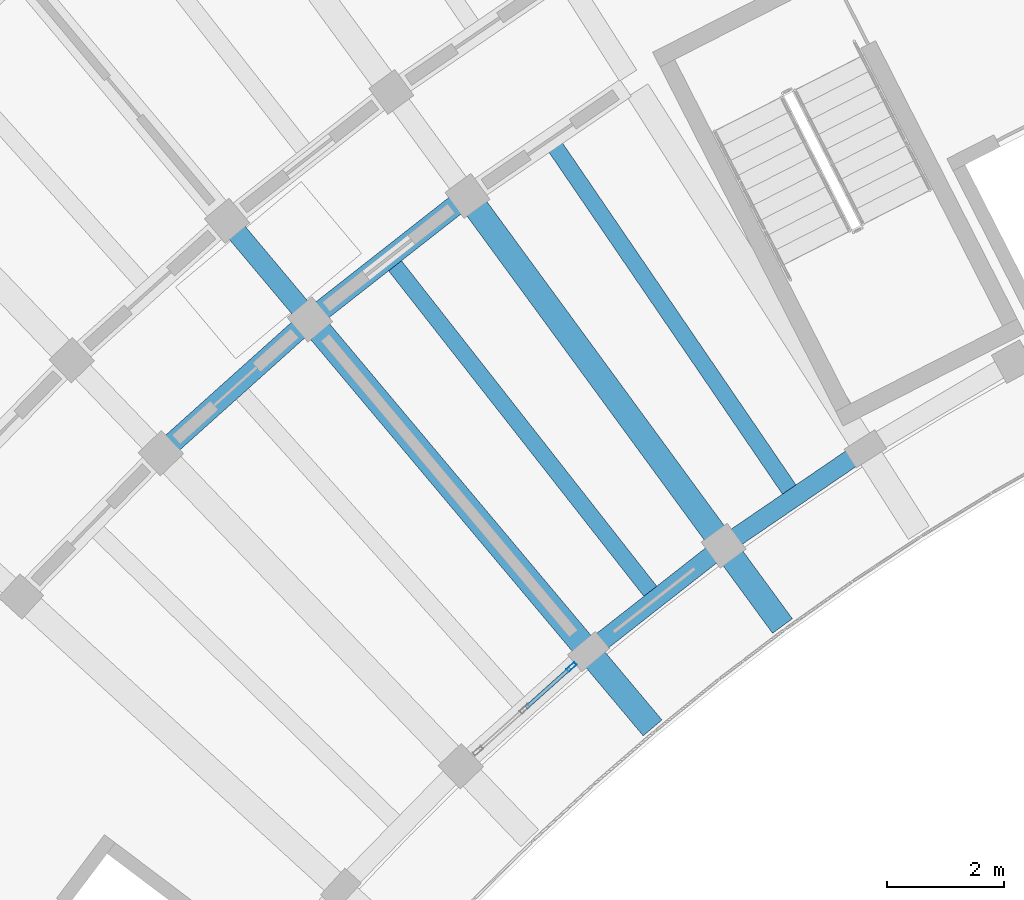
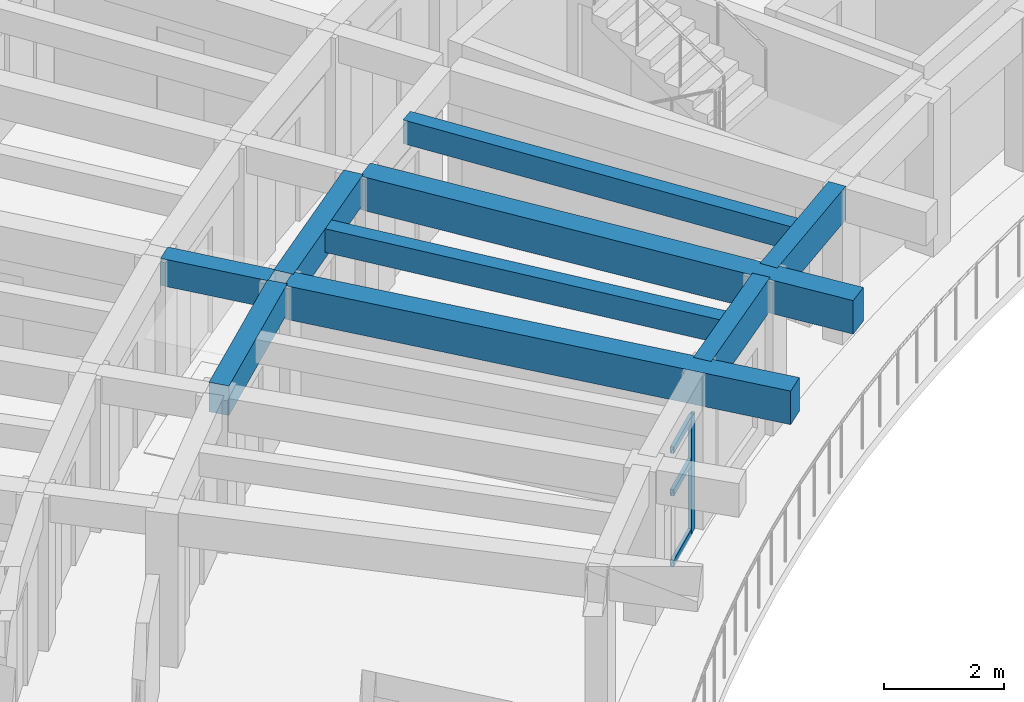
# One storey, part 9 of 69: 9 beams, 4 members, 1 element without a shape of its own.
"""IFC4 building model written with IfcOpenShell, lengths in metres."""

from ifc_helpers import new_model, si_unit, direction, frame, origin, origin_2d, place, context, subcontext, project, spatial, rectangle, hollow_rectangle, extrude, material, material_profile, profile_set, type_object, element, aggregate, save


model = new_model("IFC4")

# Units and contexts
model_context = context("Model", 3, precision=1e-05, world=origin(), true_north=direction((0.0, 1.0)))
body_context = subcontext(model_context, "Body", "Model", "MODEL_VIEW")
ifc_project = project(units=[si_unit("LENGTHUNIT", "METRE"), si_unit("AREAUNIT", "SQUARE_METRE"), si_unit("VOLUMEUNIT", "CUBIC_METRE"), si_unit("PLANEANGLEUNIT", "RADIAN"), si_unit("MASSUNIT", "GRAM", prefix="KILO")], contexts=[model_context])

# Site, building, storey
site_placement = place(None, origin())
site = spatial("IfcSite", under=ifc_project, at=site_placement, CompositionType="ELEMENT")
building_placement = place(site_placement, origin())
building = spatial("IfcBuilding", under=site, at=building_placement, Name="Tanwirah Colonnade Gardens", CompositionType="ELEMENT")
storey_placement = place(building_placement, frame((0.0, 0.0, 15.56005859375)))
storey = spatial("IfcBuildingStorey", under=building, at=storey_placement, Name="L04", CompositionType="ELEMENT", Elevation=15.56005859375)

# Beams
ifc_material_1 = material(Name="Precast concrete C40/50", Category="concrete")
ifc_material_profile_1 = material_profile(ifc_material_1, rectangle(XDim=0.35009765625, YDim=0.550048828125, at=origin_2d()), Name="PC-BM 350x550")
ifc_profile_set_1 = profile_set([ifc_material_profile_1], Name="Precast concrete C40/50")
beam_type_1 = type_object("IfcBeamType", Name="BM-PC350A", PredefinedType="BEAM", material=ifc_profile_set_1)
beam_placement = place(storey_placement, frame((31.574951171875, 100.034423828125, 2.8349609375), z_axis=(-0.642797194343, 0.766036400535, 0.0), x_axis=(-0.766036400535, -0.642797194343, 0.0)))
element("IfcBeam", 1, at=beam_placement, inside=storey, type_object=beam_type_1, Name="Block A L04 Corridor Tie Beam 9", PredefinedType="BEAM", context=body_context, shape_type="SweptSolid", body=[
    extrude(rectangle(XDim=0.35009765625, YDim=0.550048828125, at=origin_2d()), origin(), (0.0, 0.0, 1.0), 1.89990234375),
])
ifc_material_profile_2 = material_profile(ifc_material_1, rectangle(XDim=0.35009765625, YDim=0.60009765625, at=origin_2d()), Name="PC-BM 350x600")
ifc_profile_set_2 = profile_set([ifc_material_profile_2], Name="Precast concrete C40/50")
beam_type_2 = type_object("IfcBeamType", Name="BM-PC350B", PredefinedType="BEAM", material=ifc_profile_set_2)
for number, where, z_axis, x_axis, name in (
    (2, (34.242919921875, 101.9365234375, 2.81005859375), (-0.78679899272, -0.617209320292, 0.0), (0.617209320292, -0.78679899272, 0.0), "Block A L04 Circumferential Beam 8-R1"),
    (3, (31.559814453125, 99.8193359375, 2.81005859375), (-0.744429866059, -0.667700662363, 0.0), (0.667700662363, -0.744429866059, 0.0), "Block A L04 Circumferential Beam 9-R1"),
):
    element("IfcBeam", number, at=place(storey_placement, frame(where, z_axis=z_axis, x_axis=x_axis)), inside=storey, type_object=beam_type_2, Name=name, PredefinedType="BEAM", context=body_context, shape_type="SweptSolid", body=[
        extrude(rectangle(XDim=0.35009765625, YDim=0.60009765625, at=origin_2d()), origin(), (0.0, 0.0, 1.0), 3.1181640625),
    ])
ifc_material_2 = material(Name="Precast concrete C45/55", Category="concrete")
ifc_material_profile_3 = material_profile(ifc_material_2, rectangle(XDim=0.419921875, YDim=0.679931640625, at=origin_2d()), Name="PC-BM 420x680")
ifc_profile_set_3 = profile_set([ifc_material_profile_3], Name="Precast concrete C45/55")
beam_type_3 = type_object("IfcBeamType", Name="BM-PC420", PredefinedType="BEAM", material=ifc_profile_set_3)
for number, where, z_axis, x_axis, name in (
    (4, (34.449462890625, 101.907958984375, 2.77001953125), (0.590927205009, -0.806724883947, 0.0), (0.806724883947, 0.590927205009, 0.0), "Block A L04 Inner Radial Precast Girder 8"),
    (5, (31.767822265625, 99.804443359375, 2.77001953125), (0.64279407932, -0.766039014406, 0.0), (0.766039014406, 0.64279407932, 0.0), "Block A L04 Inner Radial Precast Girder 9"),
):
    element("IfcBeam", number, at=place(storey_placement, frame(where, z_axis=z_axis, x_axis=x_axis)), inside=storey, type_object=beam_type_3, Name=name, PredefinedType="BEAM", context=body_context, shape_type="SweptSolid", body=[
        extrude(rectangle(XDim=0.419921875, YDim=0.679931640625, at=origin_2d()), origin(), (0.0, 0.0, 1.0), 8.949951171875),
    ])

# Curtain wall, members
ifc_material_3 = material(Name="Bronze-anodised aluminium and solar-control low-E glass", Category="aluminium")
curtain_wall_type = type_object("IfcCurtainWallType", Name="CW-GDN", PredefinedType="NOTDEFINED", material=ifc_material_3)
curtain_wall_placement = place(storey_placement, origin())
curtain_wall = element("IfcCurtainWall", 6, at=curtain_wall_placement, inside=storey, type_object=curtain_wall_type, Name="Curtain Wall CW-A-L04-IN-09", PredefinedType="NOTDEFINED")
ifc_material_4 = material(Name="Bronze-anodised aluminium", Category="aluminium")
ifc_material_profile_4 = material_profile(ifc_material_4, hollow_rectangle(XDim=0.06494140625, YDim=0.179931640625, WallThickness=0.00390625, at=origin_2d()), Name="CW-MUL 65x180x4")
ifc_profile_set_4 = profile_set([ifc_material_profile_4], Name="Bronze-anodised aluminium")
member_type_1 = type_object("IfcMemberType", Name="CWM-65x180", PredefinedType="MULLION", material=ifc_profile_set_4)
member_1_placement = place(storey_placement, frame((36.135986328125, 93.988525390625, 0.0), z_axis=(0.0, 0.0, 1.0), x_axis=(0.667689182798, -0.744440162253, 0.0)))
member_1 = element("IfcMember", 7, at=member_1_placement, type_object=member_type_1, Name="CW-GDN mullion 1", PredefinedType="MULLION", context=body_context, shape_type="SweptSolid", body=[
    extrude(hollow_rectangle(XDim=0.06494140625, YDim=0.179931640625, WallThickness=0.00390625, at=origin_2d()), origin(), (0.0, 0.0, 1.0), 2.35498046875),
])
ifc_material_profile_5 = material_profile(ifc_material_4, hollow_rectangle(XDim=0.06494140625, YDim=0.135009765625, WallThickness=0.00390625, at=origin_2d()), Name="CW-TRN 65x135x4")
ifc_profile_set_5 = profile_set([ifc_material_profile_5], Name="Bronze-anodised aluminium")
member_type_2 = type_object("IfcMemberType", Name="CWT-65x135", PredefinedType="USERDEFINED", material=ifc_profile_set_5)
member_2_placement = place(storey_placement, frame((36.11181640625, 93.966796875, 0.032470703125), z_axis=(-0.744581898821, -0.667531119835, 0.0), x_axis=(0.667531119835, -0.744581898821, 0.0)))
member_2 = element("IfcMember", 8, at=member_2_placement, type_object=member_type_2, Name="CW-GDN transom 1.1", ObjectType="TRANSOM", PredefinedType="USERDEFINED", context=body_context, shape_type="SweptSolid", body=[
    extrude(hollow_rectangle(XDim=0.06494140625, YDim=0.135009765625, WallThickness=0.00390625, at=origin_2d()), origin(), (0.0, 0.0, 1.0), 1.007568359375),
])
member_3_placement = place(storey_placement, frame((36.11181640625, 93.966796875, 1.4599609375), z_axis=(-0.744581898821, -0.667531119835, 0.0), x_axis=(0.667531119835, -0.744581898821, 0.0)))
member_3 = element("IfcMember", 9, at=member_3_placement, type_object=member_type_2, Name="CW-GDN transom 1.2", ObjectType="TRANSOM", PredefinedType="USERDEFINED", context=body_context, shape_type="SweptSolid", body=[
    extrude(hollow_rectangle(XDim=0.06494140625, YDim=0.135009765625, WallThickness=0.00390625, at=origin_2d()), origin(), (0.0, 0.0, 1.0), 1.007568359375),
])
member_4_placement = place(storey_placement, frame((36.11181640625, 93.966796875, 2.322509765625), z_axis=(-0.744581898821, -0.667531119835, 0.0), x_axis=(0.667531119835, -0.744581898821, 0.0)))
member_4 = element("IfcMember", 10, at=member_4_placement, type_object=member_type_2, Name="CW-GDN transom 1.3", ObjectType="TRANSOM", PredefinedType="USERDEFINED", context=body_context, shape_type="SweptSolid", body=[
    extrude(hollow_rectangle(XDim=0.06494140625, YDim=0.135009765625, WallThickness=0.00390625, at=origin_2d()), origin(), (0.0, 0.0, 1.0), 1.007568359375),
])
aggregate(curtain_wall, [member_1, member_2, member_3, member_4])

# Beams
ifc_material_profile_6 = material_profile(ifc_material_1, rectangle(XDim=0.280029296875, YDim=0.47998046875, at=origin_2d()), Name="PC-JST 280x480")
ifc_profile_set_6 = profile_set([ifc_material_profile_6], Name="Precast concrete C40/50")
beam_type_4 = type_object("IfcBeamType", Name="JST-PC280", PredefinedType="JOIST", material=ifc_profile_set_6)
for number, where, z_axis, x_axis, name in (
    (11, (39.8623046875, 97.004638671875, 2.869873046875), (-0.564021195806, 0.825760310672, 0.0), (-0.825760310672, -0.564021195806, 0.0), "Block A L04 Inner Precast Floor Joist 7"),
    (12, (37.491943359375, 95.268310546875, 2.869873046875), (-0.617202438917, 0.786804390808, 0.0), (-0.786804390808, -0.617202438917, 0.0), "Block A L04 Inner Precast Floor Joist 8"),
):
    element("IfcBeam", number, at=place(storey_placement, frame(where, z_axis=z_axis, x_axis=x_axis)), inside=storey, type_object=beam_type_4, Name=name, PredefinedType="JOIST", context=body_context, shape_type="SweptSolid", body=[
        extrude(rectangle(XDim=0.280029296875, YDim=0.47998046875, at=origin_2d()), origin(), (0.0, 0.0, 1.0), 7.159912109375),
    ])
ifc_material_profile_7 = material_profile(ifc_material_2, rectangle(XDim=0.320068359375, YDim=0.679931640625, at=origin_2d()), Name="PC-SP 320x680")
ifc_profile_set_7 = profile_set([ifc_material_profile_7], Name="Precast concrete C45/55")
beam_type_5 = type_object("IfcBeamType", Name="SP-PC320", PredefinedType="SPANDREL", material=ifc_profile_set_7)
for number, where, z_axis, x_axis, name in (
    (13, (41.029541015625, 97.627197265625, 2.77001953125), (-0.825800981874, -0.563961646158, 0.0), (0.563961646158, -0.825800981874, 0.0), "Block A L04 Circumferential Beam 7-R0"),
    (14, (38.61572265625, 95.966552734375, 2.77001953125), (-0.786836625031, -0.617161344795, 0.0), (0.617161344795, -0.786836625031, 0.0), "Block A L04 Circumferential Beam 8-R0"),
):
    element("IfcBeam", number, at=place(storey_placement, frame(where, z_axis=z_axis, x_axis=x_axis)), inside=storey, type_object=beam_type_5, Name=name, PredefinedType="SPANDREL", context=body_context, shape_type="SweptSolid", body=[
        extrude(rectangle(XDim=0.320068359375, YDim=0.679931640625, at=origin_2d()), origin(), (0.0, 0.0, 1.0), 2.63037109375),
    ])

save(model, "model.ifc")
